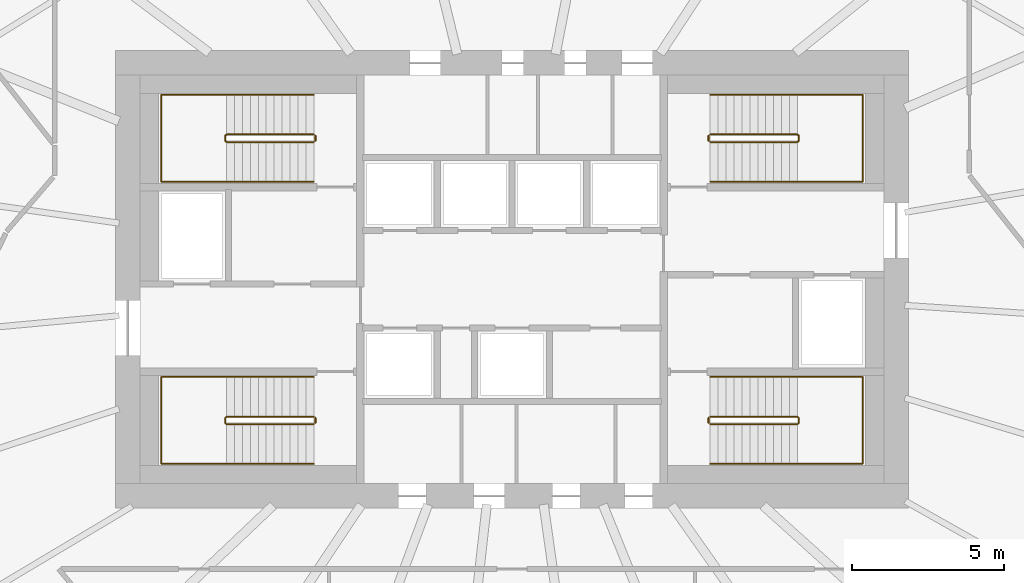
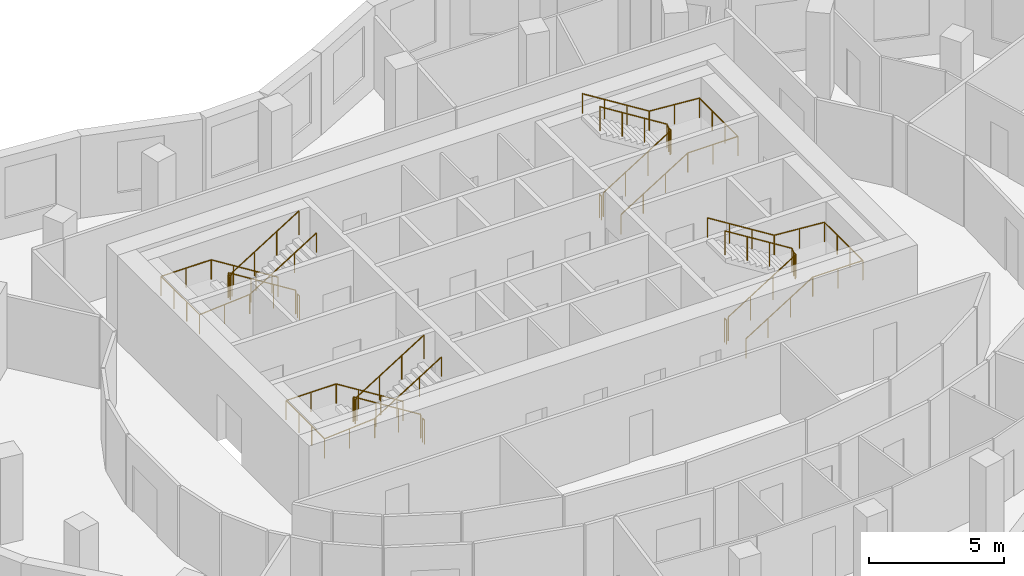
# One storey, part 9 of 9: 12 railings.
"""IFC4 building model written with IfcOpenShell, lengths in metres."""

from ifc_helpers import new_model, si_unit, direction, frame, origin, origin_2d, place, context, subcontext, project, spatial, circle, extrude, material, type_object, element, save


model = new_model("IFC4")

# Units and contexts
model_context = context("Model", 3, precision=1e-05, world=origin(), true_north=direction((0.0, 1.0)))
body_context = subcontext(model_context, "Body", "Model", "MODEL_VIEW")
ifc_project = project(units=[si_unit("LENGTHUNIT", "METRE"), si_unit("AREAUNIT", "SQUARE_METRE"), si_unit("VOLUMEUNIT", "CUBIC_METRE"), si_unit("PLANEANGLEUNIT", "RADIAN"), si_unit("MASSUNIT", "GRAM", prefix="KILO")], contexts=[model_context])

# Site, building, storey
site_placement = place(None, origin())
site = spatial("IfcSite", under=ifc_project, at=site_placement, CompositionType="ELEMENT")
building_placement = place(site_placement, origin())
building = spatial("IfcBuilding", under=site, at=building_placement, Name="Rubra Terraces Tower", CompositionType="ELEMENT")
storey_placement = place(building_placement, frame((0.0, 0.0, 288.300048828125)))
storey = spatial("IfcBuildingStorey", under=building, at=storey_placement, Name="L71", CompositionType="ELEMENT", Elevation=288.300048828125)

# Railings
ifc_material = material(Name="Stainless steel", Category="steel")
railing_type_1 = type_object("IfcRailingType", Name="Core stair guard 1100", PredefinedType="GUARDRAIL", material=ifc_material)
railing_1_placement = place(storey_placement, frame((-6.5, 0.0, 0.162353515625)))
element("IfcRailing", 1, at=railing_1_placement, inside=storey, type_object=railing_type_1, Name="L71 stair S1 guard 1", PredefinedType="GUARDRAIL", context=body_context, shape_type="SweptSolid", body=[
    extrude(circle(Radius=0.02392578125, at=origin_2d()), frame((0.0, 0.0, 1.076171875), z_axis=(-0.847994237388, 0.0, 0.530005446535), x_axis=(0.0, -1.0, 0.0)), (0.0, 0.0, 1.0), 3.372802734375),
    extrude(circle(Radius=0.02392578125, at=origin_2d()), frame((-2.860107421875, 0.0, 2.86376953125), z_axis=(-0.705375805398, -0.708833529934, 0.0), x_axis=(0.708833529934, -0.705375805398, 0.0)), (0.0, 0.0, 1.0), 0.070556640625),
    extrude(circle(Radius=0.02392578125, at=origin_2d()), frame((-2.909912109375, -0.050048828125, 2.86376953125), z_axis=(0.0, -1.0, 0.0), x_axis=(1.0, 0.0, 0.0)), (0.0, 0.0, 1.0), 0.14990234375),
    extrude(circle(Radius=0.02392578125, at=origin_2d()), frame((-2.909912109375, -0.199951171875, 2.86376953125), z_axis=(0.280959487676, -0.282336740067, 0.917250092119), x_axis=(0.708833529934, 0.705375805398, 0.0)), (0.0, 0.0, 1.0), 0.17724609375),
    extrude(circle(Radius=0.02392578125, at=origin_2d()), frame((-2.860107421875, -0.25, 3.0263671875), z_axis=(0.848026770018, 0.0, 0.529953391661), x_axis=(0.0, 1.0, 0.0)), (0.0, 0.0, 1.0), 3.37255859375),
    extrude(circle(Radius=0.02099609375, at=origin_2d()), origin(), (0.0, 0.0, 1.0), 1.052001953125),
    extrude(circle(Radius=0.02099609375, at=origin_2d()), frame((-0.953369140625, 0.0, 0.595947265625)), (0.0, 0.0, 1.0), 1.052001953125),
    extrude(circle(Radius=0.02099609375, at=origin_2d()), frame((-1.90673828125, 0.0, 1.191650390625)), (0.0, 0.0, 1.0), 1.052001953125),
    extrude(circle(Radius=0.02099609375, at=origin_2d()), frame((-2.860107421875, 0.0, 1.78759765625)), (0.0, 0.0, 1.0), 1.052001953125),
    extrude(circle(Radius=0.02099609375, at=origin_2d()), frame((-2.909912109375, -0.050048828125, 1.78759765625)), (0.0, 0.0, 1.0), 1.052001953125),
    extrude(circle(Radius=0.02099609375, at=origin_2d()), frame((-2.909912109375, -0.199951171875, 1.78759765625)), (0.0, 0.0, 1.0), 1.052001953125),
    extrude(circle(Radius=0.02099609375, at=origin_2d()), frame((-2.860107421875, -0.25, 1.9501953125)), (0.0, 0.0, 1.0), 1.052001953125),
    extrude(circle(Radius=0.02099609375, at=origin_2d()), frame((-1.90673828125, -0.25, 2.5458984375)), (0.0, 0.0, 1.0), 1.052001953125),
    extrude(circle(Radius=0.02099609375, at=origin_2d()), frame((-0.953369140625, -0.25, 3.141845703125)), (0.0, 0.0, 1.0), 1.052001953125),
    extrude(circle(Radius=0.02099609375, at=origin_2d()), frame((0.0, -0.25, 3.737548828125)), (0.0, 0.0, 1.0), 1.052001953125),
])
railing_2_placement = place(storey_placement, frame((-6.449951171875, -0.050048828125, 0.0)))
element("IfcRailing", 2, at=railing_2_placement, inside=storey, type_object=railing_type_1, Name="L71 stair S1 guard 2", PredefinedType="GUARDRAIL", context=body_context, shape_type="SweptSolid", body=[
    extrude(circle(Radius=0.02392578125, at=origin_2d()), frame((0.0, 0.0, 1.076171875), z_axis=(0.0, -1.0, 0.0), x_axis=(1.0, 0.0, 0.0)), (0.0, 0.0, 1.0), 0.14990234375),
    extrude(circle(Radius=0.02099609375, at=origin_2d()), origin(), (0.0, 0.0, 1.0), 1.052001953125),
    extrude(circle(Radius=0.02099609375, at=origin_2d()), frame((0.0, -0.14990234375, 0.0)), (0.0, 0.0, 1.0), 1.052001953125),
])
railing_3_placement = place(storey_placement, frame((-6.5, 9.25, 0.162353515625)))
element("IfcRailing", 3, at=railing_3_placement, inside=storey, type_object=railing_type_1, Name="L71 stair S2 guard 1", PredefinedType="GUARDRAIL", context=body_context, shape_type="SweptSolid", body=[
    extrude(circle(Radius=0.02392578125, at=origin_2d()), frame((0.0, 0.0, 1.076171875), z_axis=(-0.847994237388, 0.0, 0.530005446535), x_axis=(0.0, -1.0, 0.0)), (0.0, 0.0, 1.0), 3.372802734375),
    extrude(circle(Radius=0.02392578125, at=origin_2d()), frame((-2.860107421875, 0.0, 2.86376953125), z_axis=(-0.705375805398, -0.708833529934, 0.0), x_axis=(0.708833529934, -0.705375805398, 0.0)), (0.0, 0.0, 1.0), 0.070556640625),
    extrude(circle(Radius=0.02392578125, at=origin_2d()), frame((-2.909912109375, -0.050048828125, 2.86376953125), z_axis=(0.0, -1.0, 0.0), x_axis=(1.0, 0.0, 0.0)), (0.0, 0.0, 1.0), 0.14990234375),
    extrude(circle(Radius=0.02392578125, at=origin_2d()), frame((-2.909912109375, -0.199951171875, 2.86376953125), z_axis=(0.280959487676, -0.282336740067, 0.917250092119), x_axis=(0.708833529934, 0.705375805398, 0.0)), (0.0, 0.0, 1.0), 0.17724609375),
    extrude(circle(Radius=0.02392578125, at=origin_2d()), frame((-2.860107421875, -0.25, 3.0263671875), z_axis=(0.848026770018, 0.0, 0.529953391661), x_axis=(0.0, 1.0, 0.0)), (0.0, 0.0, 1.0), 3.37255859375),
    extrude(circle(Radius=0.02099609375, at=origin_2d()), origin(), (0.0, 0.0, 1.0), 1.052001953125),
    extrude(circle(Radius=0.02099609375, at=origin_2d()), frame((-0.953369140625, 0.0, 0.595947265625)), (0.0, 0.0, 1.0), 1.052001953125),
    extrude(circle(Radius=0.02099609375, at=origin_2d()), frame((-1.90673828125, 0.0, 1.191650390625)), (0.0, 0.0, 1.0), 1.052001953125),
    extrude(circle(Radius=0.02099609375, at=origin_2d()), frame((-2.860107421875, 0.0, 1.78759765625)), (0.0, 0.0, 1.0), 1.052001953125),
    extrude(circle(Radius=0.02099609375, at=origin_2d()), frame((-2.909912109375, -0.050048828125, 1.78759765625)), (0.0, 0.0, 1.0), 1.052001953125),
    extrude(circle(Radius=0.02099609375, at=origin_2d()), frame((-2.909912109375, -0.199951171875, 1.78759765625)), (0.0, 0.0, 1.0), 1.052001953125),
    extrude(circle(Radius=0.02099609375, at=origin_2d()), frame((-2.860107421875, -0.25, 1.9501953125)), (0.0, 0.0, 1.0), 1.052001953125),
    extrude(circle(Radius=0.02099609375, at=origin_2d()), frame((-1.90673828125, -0.25, 2.5458984375)), (0.0, 0.0, 1.0), 1.052001953125),
    extrude(circle(Radius=0.02099609375, at=origin_2d()), frame((-0.953369140625, -0.25, 3.141845703125)), (0.0, 0.0, 1.0), 1.052001953125),
    extrude(circle(Radius=0.02099609375, at=origin_2d()), frame((0.0, -0.25, 3.737548828125)), (0.0, 0.0, 1.0), 1.052001953125),
])
railing_4_placement = place(storey_placement, frame((-6.449951171875, 9.199951171875, 0.0)))
element("IfcRailing", 4, at=railing_4_placement, inside=storey, type_object=railing_type_1, Name="L71 stair S2 guard 2", PredefinedType="GUARDRAIL", context=body_context, shape_type="SweptSolid", body=[
    extrude(circle(Radius=0.02392578125, at=origin_2d()), frame((0.0, 0.0, 1.076171875), z_axis=(0.0, -1.0, 0.0), x_axis=(1.0, 0.0, 0.0)), (0.0, 0.0, 1.0), 0.14990234375),
    extrude(circle(Radius=0.02099609375, at=origin_2d()), origin(), (0.0, 0.0, 1.0), 1.052001953125),
    extrude(circle(Radius=0.02099609375, at=origin_2d()), frame((0.0, -0.14990234375, 0.0)), (0.0, 0.0, 1.0), 1.052001953125),
])
railing_5_placement = place(storey_placement, frame((6.5, 9.0, 0.162353515625)))
element("IfcRailing", 5, at=railing_5_placement, inside=storey, type_object=railing_type_1, Name="L71 stair S3 guard 1", PredefinedType="GUARDRAIL", context=body_context, shape_type="SweptSolid", body=[
    extrude(circle(Radius=0.02392578125, at=origin_2d()), frame((0.0, 0.0, 1.076171875), z_axis=(0.847994237388, 0.0, 0.530005446535), x_axis=(0.0, 1.0, 0.0)), (0.0, 0.0, 1.0), 3.372802734375),
    extrude(circle(Radius=0.02392578125, at=origin_2d()), frame((2.860107421875, 0.0, 2.86376953125), z_axis=(0.705375805398, 0.708833529934, 0.0), x_axis=(-0.708833529934, 0.705375805398, 0.0)), (0.0, 0.0, 1.0), 0.070556640625),
    extrude(circle(Radius=0.02392578125, at=origin_2d()), frame((2.909912109375, 0.050048828125, 2.86376953125), z_axis=(0.0, 1.0, 0.0), x_axis=(-1.0, 0.0, 0.0)), (0.0, 0.0, 1.0), 0.14990234375),
    extrude(circle(Radius=0.02392578125, at=origin_2d()), frame((2.909912109375, 0.199951171875, 2.86376953125), z_axis=(-0.280959487676, 0.282336740067, 0.917250092119), x_axis=(-0.708833529934, -0.705375805398, 0.0)), (0.0, 0.0, 1.0), 0.17724609375),
    extrude(circle(Radius=0.02392578125, at=origin_2d()), frame((2.860107421875, 0.25, 3.0263671875), z_axis=(-0.848026770018, 0.0, 0.529953391661), x_axis=(0.0, -1.0, 0.0)), (0.0, 0.0, 1.0), 3.37255859375),
    extrude(circle(Radius=0.02099609375, at=origin_2d()), origin(), (0.0, 0.0, 1.0), 1.052001953125),
    extrude(circle(Radius=0.02099609375, at=origin_2d()), frame((0.953369140625, 0.0, 0.595947265625)), (0.0, 0.0, 1.0), 1.052001953125),
    extrude(circle(Radius=0.02099609375, at=origin_2d()), frame((1.90673828125, 0.0, 1.191650390625)), (0.0, 0.0, 1.0), 1.052001953125),
    extrude(circle(Radius=0.02099609375, at=origin_2d()), frame((2.860107421875, 0.0, 1.78759765625)), (0.0, 0.0, 1.0), 1.052001953125),
    extrude(circle(Radius=0.02099609375, at=origin_2d()), frame((2.909912109375, 0.050048828125, 1.78759765625)), (0.0, 0.0, 1.0), 1.052001953125),
    extrude(circle(Radius=0.02099609375, at=origin_2d()), frame((2.909912109375, 0.199951171875, 1.78759765625)), (0.0, 0.0, 1.0), 1.052001953125),
    extrude(circle(Radius=0.02099609375, at=origin_2d()), frame((2.860107421875, 0.25, 1.9501953125)), (0.0, 0.0, 1.0), 1.052001953125),
    extrude(circle(Radius=0.02099609375, at=origin_2d()), frame((1.90673828125, 0.25, 2.5458984375)), (0.0, 0.0, 1.0), 1.052001953125),
    extrude(circle(Radius=0.02099609375, at=origin_2d()), frame((0.953369140625, 0.25, 3.141845703125)), (0.0, 0.0, 1.0), 1.052001953125),
    extrude(circle(Radius=0.02099609375, at=origin_2d()), frame((0.0, 0.25, 3.737548828125)), (0.0, 0.0, 1.0), 1.052001953125),
])
railing_6_placement = place(storey_placement, frame((6.449951171875, 9.050048828125, 0.0)))
element("IfcRailing", 6, at=railing_6_placement, inside=storey, type_object=railing_type_1, Name="L71 stair S3 guard 2", PredefinedType="GUARDRAIL", context=body_context, shape_type="SweptSolid", body=[
    extrude(circle(Radius=0.02392578125, at=origin_2d()), frame((0.0, 0.0, 1.076171875), z_axis=(0.0, 1.0, 0.0), x_axis=(-1.0, 0.0, 0.0)), (0.0, 0.0, 1.0), 0.14990234375),
    extrude(circle(Radius=0.02099609375, at=origin_2d()), origin(), (0.0, 0.0, 1.0), 1.052001953125),
    extrude(circle(Radius=0.02099609375, at=origin_2d()), frame((0.0, 0.14990234375, 0.0)), (0.0, 0.0, 1.0), 1.052001953125),
])
railing_7_placement = place(storey_placement, frame((6.5, -0.25, 0.162353515625)))
element("IfcRailing", 7, at=railing_7_placement, inside=storey, type_object=railing_type_1, Name="L71 stair S4 guard 1", PredefinedType="GUARDRAIL", context=body_context, shape_type="SweptSolid", body=[
    extrude(circle(Radius=0.02392578125, at=origin_2d()), frame((0.0, 0.0, 1.076171875), z_axis=(0.847994237388, 0.0, 0.530005446535), x_axis=(0.0, 1.0, 0.0)), (0.0, 0.0, 1.0), 3.372802734375),
    extrude(circle(Radius=0.02392578125, at=origin_2d()), frame((2.860107421875, 0.0, 2.86376953125), z_axis=(0.705375805398, 0.708833529934, 0.0), x_axis=(-0.708833529934, 0.705375805398, 0.0)), (0.0, 0.0, 1.0), 0.070556640625),
    extrude(circle(Radius=0.02392578125, at=origin_2d()), frame((2.909912109375, 0.050048828125, 2.86376953125), z_axis=(0.0, 1.0, 0.0), x_axis=(-1.0, 0.0, 0.0)), (0.0, 0.0, 1.0), 0.14990234375),
    extrude(circle(Radius=0.02392578125, at=origin_2d()), frame((2.909912109375, 0.199951171875, 2.86376953125), z_axis=(-0.280959487676, 0.282336740067, 0.917250092119), x_axis=(-0.708833529934, -0.705375805398, 0.0)), (0.0, 0.0, 1.0), 0.17724609375),
    extrude(circle(Radius=0.02392578125, at=origin_2d()), frame((2.860107421875, 0.25, 3.0263671875), z_axis=(-0.848026770018, 0.0, 0.529953391661), x_axis=(0.0, -1.0, 0.0)), (0.0, 0.0, 1.0), 3.37255859375),
    extrude(circle(Radius=0.02099609375, at=origin_2d()), origin(), (0.0, 0.0, 1.0), 1.052001953125),
    extrude(circle(Radius=0.02099609375, at=origin_2d()), frame((0.953369140625, 0.0, 0.595947265625)), (0.0, 0.0, 1.0), 1.052001953125),
    extrude(circle(Radius=0.02099609375, at=origin_2d()), frame((1.90673828125, 0.0, 1.191650390625)), (0.0, 0.0, 1.0), 1.052001953125),
    extrude(circle(Radius=0.02099609375, at=origin_2d()), frame((2.860107421875, 0.0, 1.78759765625)), (0.0, 0.0, 1.0), 1.052001953125),
    extrude(circle(Radius=0.02099609375, at=origin_2d()), frame((2.909912109375, 0.050048828125, 1.78759765625)), (0.0, 0.0, 1.0), 1.052001953125),
    extrude(circle(Radius=0.02099609375, at=origin_2d()), frame((2.909912109375, 0.199951171875, 1.78759765625)), (0.0, 0.0, 1.0), 1.052001953125),
    extrude(circle(Radius=0.02099609375, at=origin_2d()), frame((2.860107421875, 0.25, 1.9501953125)), (0.0, 0.0, 1.0), 1.052001953125),
    extrude(circle(Radius=0.02099609375, at=origin_2d()), frame((1.90673828125, 0.25, 2.5458984375)), (0.0, 0.0, 1.0), 1.052001953125),
    extrude(circle(Radius=0.02099609375, at=origin_2d()), frame((0.953369140625, 0.25, 3.141845703125)), (0.0, 0.0, 1.0), 1.052001953125),
    extrude(circle(Radius=0.02099609375, at=origin_2d()), frame((0.0, 0.25, 3.737548828125)), (0.0, 0.0, 1.0), 1.052001953125),
])
railing_8_placement = place(storey_placement, frame((6.449951171875, -0.199951171875, 0.0)))
element("IfcRailing", 8, at=railing_8_placement, inside=storey, type_object=railing_type_1, Name="L71 stair S4 guard 2", PredefinedType="GUARDRAIL", context=body_context, shape_type="SweptSolid", body=[
    extrude(circle(Radius=0.02392578125, at=origin_2d()), frame((0.0, 0.0, 1.076171875), z_axis=(0.0, 1.0, 0.0), x_axis=(-1.0, 0.0, 0.0)), (0.0, 0.0, 1.0), 0.14990234375),
    extrude(circle(Radius=0.02099609375, at=origin_2d()), origin(), (0.0, 0.0, 1.0), 1.052001953125),
    extrude(circle(Radius=0.02099609375, at=origin_2d()), frame((0.0, 0.14990234375, 0.0)), (0.0, 0.0, 1.0), 1.052001953125),
])
railing_type_2 = type_object("IfcRailingType", Name="Core stair handrail 900", PredefinedType="HANDRAIL", material=ifc_material)
railing_9_placement = place(storey_placement, frame((-6.5, 1.300048828125, 0.162353515625)))
element("IfcRailing", 9, at=railing_9_placement, inside=storey, type_object=railing_type_2, Name="L71 stair S1 handrail 1", PredefinedType="HANDRAIL", context=body_context, shape_type="SweptSolid", body=[
    extrude(circle(Radius=0.02392578125, at=origin_2d()), frame((0.0, 0.0, 0.8759765625), z_axis=(-0.847994237388, 0.0, 0.530005446535), x_axis=(0.0, -1.0, 0.0)), (0.0, 0.0, 1.0), 3.372802734375),
    extrude(circle(Radius=0.02392578125, at=origin_2d()), frame((-2.860107421875, 0.0, 2.66357421875), z_axis=(-1.0, 0.0, 0.0), x_axis=(0.0, -1.0, 0.0)), (0.0, 0.0, 1.0), 2.139892578125),
    extrude(circle(Radius=0.02392578125, at=origin_2d()), frame((-5.0, 0.0, 2.66357421875), z_axis=(0.0, -1.0, 0.0), x_axis=(1.0, 0.0, 0.0)), (0.0, 0.0, 1.0), 2.85009765625),
    extrude(circle(Radius=0.02392578125, at=origin_2d()), frame((-5.0, -2.85009765625, 2.66357421875), z_axis=(0.997125654253, 0.0, 0.075765623016), x_axis=(0.0, 1.0, 0.0)), (0.0, 0.0, 1.0), 2.14599609375),
    extrude(circle(Radius=0.02392578125, at=origin_2d()), frame((-2.860107421875, -2.85009765625, 2.826171875), z_axis=(0.848026770018, 0.0, 0.529953391661), x_axis=(0.0, 1.0, 0.0)), (0.0, 0.0, 1.0), 3.37255859375),
    extrude(circle(Radius=0.02099609375, at=origin_2d()), origin(), (0.0, 0.0, 1.0), 0.851806640625),
    extrude(circle(Radius=0.02099609375, at=origin_2d()), frame((-0.953369140625, 0.0, 0.595947265625)), (0.0, 0.0, 1.0), 0.851806640625),
    extrude(circle(Radius=0.02099609375, at=origin_2d()), frame((-1.90673828125, 0.0, 1.191650390625)), (0.0, 0.0, 1.0), 0.851806640625),
    extrude(circle(Radius=0.02099609375, at=origin_2d()), frame((-2.860107421875, 0.0, 1.78759765625)), (0.0, 0.0, 1.0), 0.851806640625),
    extrude(circle(Radius=0.02099609375, at=origin_2d()), frame((-3.93017578125, 0.0, 1.78759765625)), (0.0, 0.0, 1.0), 0.851806640625),
    extrude(circle(Radius=0.02099609375, at=origin_2d()), frame((-5.0, 0.0, 1.78759765625)), (0.0, 0.0, 1.0), 0.851806640625),
    extrude(circle(Radius=0.02099609375, at=origin_2d()), frame((-5.0, -0.949951171875, 1.78759765625)), (0.0, 0.0, 1.0), 0.851806640625),
    extrude(circle(Radius=0.02099609375, at=origin_2d()), frame((-5.0, -1.900146484375, 1.78759765625)), (0.0, 0.0, 1.0), 0.851806640625),
    extrude(circle(Radius=0.02099609375, at=origin_2d()), frame((-5.0, -2.85009765625, 1.78759765625)), (0.0, 0.0, 1.0), 0.851806640625),
    extrude(circle(Radius=0.02099609375, at=origin_2d()), frame((-3.93017578125, -2.85009765625, 1.868896484375)), (0.0, 0.0, 1.0), 0.851806640625),
    extrude(circle(Radius=0.02099609375, at=origin_2d()), frame((-2.860107421875, -2.85009765625, 1.9501953125)), (0.0, 0.0, 1.0), 0.851806640625),
    extrude(circle(Radius=0.02099609375, at=origin_2d()), frame((-1.90673828125, -2.85009765625, 2.5458984375)), (0.0, 0.0, 1.0), 0.851806640625),
    extrude(circle(Radius=0.02099609375, at=origin_2d()), frame((-0.953369140625, -2.85009765625, 3.141845703125)), (0.0, 0.0, 1.0), 0.851806640625),
    extrude(circle(Radius=0.02099609375, at=origin_2d()), frame((0.0, -2.85009765625, 3.737548828125)), (0.0, 0.0, 1.0), 0.851806640625),
])
railing_10_placement = place(storey_placement, frame((-6.5, 10.550048828125, 0.162353515625)))
element("IfcRailing", 10, at=railing_10_placement, inside=storey, type_object=railing_type_2, Name="L71 stair S2 handrail 1", PredefinedType="HANDRAIL", context=body_context, shape_type="SweptSolid", body=[
    extrude(circle(Radius=0.02392578125, at=origin_2d()), frame((0.0, 0.0, 0.8759765625), z_axis=(-0.847994237388, 0.0, 0.530005446535), x_axis=(0.0, -1.0, 0.0)), (0.0, 0.0, 1.0), 3.372802734375),
    extrude(circle(Radius=0.02392578125, at=origin_2d()), frame((-2.860107421875, 0.0, 2.66357421875), z_axis=(-1.0, 0.0, 0.0), x_axis=(0.0, -1.0, 0.0)), (0.0, 0.0, 1.0), 2.139892578125),
    extrude(circle(Radius=0.02392578125, at=origin_2d()), frame((-5.0, 0.0, 2.66357421875), z_axis=(0.0, -1.0, 0.0), x_axis=(1.0, 0.0, 0.0)), (0.0, 0.0, 1.0), 2.85009765625),
    extrude(circle(Radius=0.02392578125, at=origin_2d()), frame((-5.0, -2.85009765625, 2.66357421875), z_axis=(0.997125654253, 0.0, 0.075765623016), x_axis=(0.0, 1.0, 0.0)), (0.0, 0.0, 1.0), 2.14599609375),
    extrude(circle(Radius=0.02392578125, at=origin_2d()), frame((-2.860107421875, -2.85009765625, 2.826171875), z_axis=(0.848026770018, 0.0, 0.529953391661), x_axis=(0.0, 1.0, 0.0)), (0.0, 0.0, 1.0), 3.37255859375),
    extrude(circle(Radius=0.02099609375, at=origin_2d()), origin(), (0.0, 0.0, 1.0), 0.851806640625),
    extrude(circle(Radius=0.02099609375, at=origin_2d()), frame((-0.953369140625, 0.0, 0.595947265625)), (0.0, 0.0, 1.0), 0.851806640625),
    extrude(circle(Radius=0.02099609375, at=origin_2d()), frame((-1.90673828125, 0.0, 1.191650390625)), (0.0, 0.0, 1.0), 0.851806640625),
    extrude(circle(Radius=0.02099609375, at=origin_2d()), frame((-2.860107421875, 0.0, 1.78759765625)), (0.0, 0.0, 1.0), 0.851806640625),
    extrude(circle(Radius=0.02099609375, at=origin_2d()), frame((-3.93017578125, 0.0, 1.78759765625)), (0.0, 0.0, 1.0), 0.851806640625),
    extrude(circle(Radius=0.02099609375, at=origin_2d()), frame((-5.0, 0.0, 1.78759765625)), (0.0, 0.0, 1.0), 0.851806640625),
    extrude(circle(Radius=0.02099609375, at=origin_2d()), frame((-5.0, -0.949951171875, 1.78759765625)), (0.0, 0.0, 1.0), 0.851806640625),
    extrude(circle(Radius=0.02099609375, at=origin_2d()), frame((-5.0, -1.900146484375, 1.78759765625)), (0.0, 0.0, 1.0), 0.851806640625),
    extrude(circle(Radius=0.02099609375, at=origin_2d()), frame((-5.0, -2.85009765625, 1.78759765625)), (0.0, 0.0, 1.0), 0.851806640625),
    extrude(circle(Radius=0.02099609375, at=origin_2d()), frame((-3.93017578125, -2.85009765625, 1.868896484375)), (0.0, 0.0, 1.0), 0.851806640625),
    extrude(circle(Radius=0.02099609375, at=origin_2d()), frame((-2.860107421875, -2.85009765625, 1.9501953125)), (0.0, 0.0, 1.0), 0.851806640625),
    extrude(circle(Radius=0.02099609375, at=origin_2d()), frame((-1.90673828125, -2.85009765625, 2.5458984375)), (0.0, 0.0, 1.0), 0.851806640625),
    extrude(circle(Radius=0.02099609375, at=origin_2d()), frame((-0.953369140625, -2.85009765625, 3.141845703125)), (0.0, 0.0, 1.0), 0.851806640625),
    extrude(circle(Radius=0.02099609375, at=origin_2d()), frame((0.0, -2.85009765625, 3.737548828125)), (0.0, 0.0, 1.0), 0.851806640625),
])
railing_11_placement = place(storey_placement, frame((6.5, 7.699951171875, 0.162353515625)))
element("IfcRailing", 11, at=railing_11_placement, inside=storey, type_object=railing_type_2, Name="L71 stair S3 handrail 1", PredefinedType="HANDRAIL", context=body_context, shape_type="SweptSolid", body=[
    extrude(circle(Radius=0.02392578125, at=origin_2d()), frame((0.0, 0.0, 0.8759765625), z_axis=(0.847994237388, 0.0, 0.530005446535), x_axis=(0.0, 1.0, 0.0)), (0.0, 0.0, 1.0), 3.372802734375),
    extrude(circle(Radius=0.02392578125, at=origin_2d()), frame((2.860107421875, 0.0, 2.66357421875), z_axis=(1.0, 0.0, 0.0), x_axis=(0.0, 1.0, 0.0)), (0.0, 0.0, 1.0), 2.139892578125),
    extrude(circle(Radius=0.02392578125, at=origin_2d()), frame((5.0, 0.0, 2.66357421875), z_axis=(0.0, 1.0, 0.0), x_axis=(-1.0, 0.0, 0.0)), (0.0, 0.0, 1.0), 2.85009765625),
    extrude(circle(Radius=0.02392578125, at=origin_2d()), frame((5.0, 2.85009765625, 2.66357421875), z_axis=(-0.997125654253, 0.0, 0.075765623016), x_axis=(0.0, -1.0, 0.0)), (0.0, 0.0, 1.0), 2.14599609375),
    extrude(circle(Radius=0.02392578125, at=origin_2d()), frame((2.860107421875, 2.85009765625, 2.826171875), z_axis=(-0.848026770018, 0.0, 0.529953391661), x_axis=(0.0, -1.0, 0.0)), (0.0, 0.0, 1.0), 3.37255859375),
    extrude(circle(Radius=0.02099609375, at=origin_2d()), origin(), (0.0, 0.0, 1.0), 0.851806640625),
    extrude(circle(Radius=0.02099609375, at=origin_2d()), frame((0.953369140625, 0.0, 0.595947265625)), (0.0, 0.0, 1.0), 0.851806640625),
    extrude(circle(Radius=0.02099609375, at=origin_2d()), frame((1.90673828125, 0.0, 1.191650390625)), (0.0, 0.0, 1.0), 0.851806640625),
    extrude(circle(Radius=0.02099609375, at=origin_2d()), frame((2.860107421875, 0.0, 1.78759765625)), (0.0, 0.0, 1.0), 0.851806640625),
    extrude(circle(Radius=0.02099609375, at=origin_2d()), frame((3.93017578125, 0.0, 1.78759765625)), (0.0, 0.0, 1.0), 0.851806640625),
    extrude(circle(Radius=0.02099609375, at=origin_2d()), frame((5.0, 0.0, 1.78759765625)), (0.0, 0.0, 1.0), 0.851806640625),
    extrude(circle(Radius=0.02099609375, at=origin_2d()), frame((5.0, 0.949951171875, 1.78759765625)), (0.0, 0.0, 1.0), 0.851806640625),
    extrude(circle(Radius=0.02099609375, at=origin_2d()), frame((5.0, 1.900146484375, 1.78759765625)), (0.0, 0.0, 1.0), 0.851806640625),
    extrude(circle(Radius=0.02099609375, at=origin_2d()), frame((5.0, 2.85009765625, 1.78759765625)), (0.0, 0.0, 1.0), 0.851806640625),
    extrude(circle(Radius=0.02099609375, at=origin_2d()), frame((3.93017578125, 2.85009765625, 1.868896484375)), (0.0, 0.0, 1.0), 0.851806640625),
    extrude(circle(Radius=0.02099609375, at=origin_2d()), frame((2.860107421875, 2.85009765625, 1.9501953125)), (0.0, 0.0, 1.0), 0.851806640625),
    extrude(circle(Radius=0.02099609375, at=origin_2d()), frame((1.90673828125, 2.85009765625, 2.5458984375)), (0.0, 0.0, 1.0), 0.851806640625),
    extrude(circle(Radius=0.02099609375, at=origin_2d()), frame((0.953369140625, 2.85009765625, 3.141845703125)), (0.0, 0.0, 1.0), 0.851806640625),
    extrude(circle(Radius=0.02099609375, at=origin_2d()), frame((0.0, 2.85009765625, 3.737548828125)), (0.0, 0.0, 1.0), 0.851806640625),
])
railing_12_placement = place(storey_placement, frame((6.5, -1.550048828125, 0.162353515625)))
element("IfcRailing", 12, at=railing_12_placement, inside=storey, type_object=railing_type_2, Name="L71 stair S4 handrail 1", PredefinedType="HANDRAIL", context=body_context, shape_type="SweptSolid", body=[
    extrude(circle(Radius=0.02392578125, at=origin_2d()), frame((0.0, 0.0, 0.8759765625), z_axis=(0.847994237388, 0.0, 0.530005446535), x_axis=(0.0, 1.0, 0.0)), (0.0, 0.0, 1.0), 3.372802734375),
    extrude(circle(Radius=0.02392578125, at=origin_2d()), frame((2.860107421875, 0.0, 2.66357421875), z_axis=(1.0, 0.0, 0.0), x_axis=(0.0, 1.0, 0.0)), (0.0, 0.0, 1.0), 2.139892578125),
    extrude(circle(Radius=0.02392578125, at=origin_2d()), frame((5.0, 0.0, 2.66357421875), z_axis=(0.0, 1.0, 0.0), x_axis=(-1.0, 0.0, 0.0)), (0.0, 0.0, 1.0), 2.85009765625),
    extrude(circle(Radius=0.02392578125, at=origin_2d()), frame((5.0, 2.85009765625, 2.66357421875), z_axis=(-0.997125654253, 0.0, 0.075765623016), x_axis=(0.0, -1.0, 0.0)), (0.0, 0.0, 1.0), 2.14599609375),
    extrude(circle(Radius=0.02392578125, at=origin_2d()), frame((2.860107421875, 2.85009765625, 2.826171875), z_axis=(-0.848026770018, 0.0, 0.529953391661), x_axis=(0.0, -1.0, 0.0)), (0.0, 0.0, 1.0), 3.37255859375),
    extrude(circle(Radius=0.02099609375, at=origin_2d()), origin(), (0.0, 0.0, 1.0), 0.851806640625),
    extrude(circle(Radius=0.02099609375, at=origin_2d()), frame((0.953369140625, 0.0, 0.595947265625)), (0.0, 0.0, 1.0), 0.851806640625),
    extrude(circle(Radius=0.02099609375, at=origin_2d()), frame((1.90673828125, 0.0, 1.191650390625)), (0.0, 0.0, 1.0), 0.851806640625),
    extrude(circle(Radius=0.02099609375, at=origin_2d()), frame((2.860107421875, 0.0, 1.78759765625)), (0.0, 0.0, 1.0), 0.851806640625),
    extrude(circle(Radius=0.02099609375, at=origin_2d()), frame((3.93017578125, 0.0, 1.78759765625)), (0.0, 0.0, 1.0), 0.851806640625),
    extrude(circle(Radius=0.02099609375, at=origin_2d()), frame((5.0, 0.0, 1.78759765625)), (0.0, 0.0, 1.0), 0.851806640625),
    extrude(circle(Radius=0.02099609375, at=origin_2d()), frame((5.0, 0.949951171875, 1.78759765625)), (0.0, 0.0, 1.0), 0.851806640625),
    extrude(circle(Radius=0.02099609375, at=origin_2d()), frame((5.0, 1.900146484375, 1.78759765625)), (0.0, 0.0, 1.0), 0.851806640625),
    extrude(circle(Radius=0.02099609375, at=origin_2d()), frame((5.0, 2.85009765625, 1.78759765625)), (0.0, 0.0, 1.0), 0.851806640625),
    extrude(circle(Radius=0.02099609375, at=origin_2d()), frame((3.93017578125, 2.85009765625, 1.868896484375)), (0.0, 0.0, 1.0), 0.851806640625),
    extrude(circle(Radius=0.02099609375, at=origin_2d()), frame((2.860107421875, 2.85009765625, 1.9501953125)), (0.0, 0.0, 1.0), 0.851806640625),
    extrude(circle(Radius=0.02099609375, at=origin_2d()), frame((1.90673828125, 2.85009765625, 2.5458984375)), (0.0, 0.0, 1.0), 0.851806640625),
    extrude(circle(Radius=0.02099609375, at=origin_2d()), frame((0.953369140625, 2.85009765625, 3.141845703125)), (0.0, 0.0, 1.0), 0.851806640625),
    extrude(circle(Radius=0.02099609375, at=origin_2d()), frame((0.0, 2.85009765625, 3.737548828125)), (0.0, 0.0, 1.0), 0.851806640625),
])

save(model, "model.ifc")
